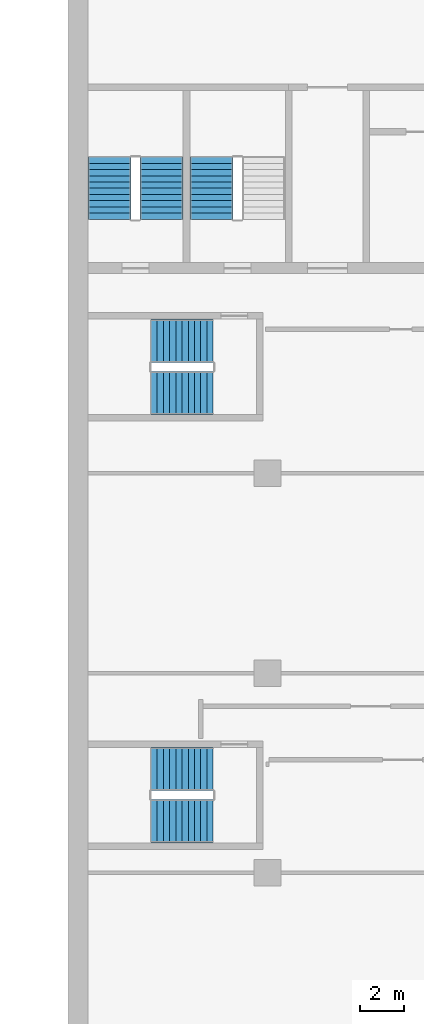
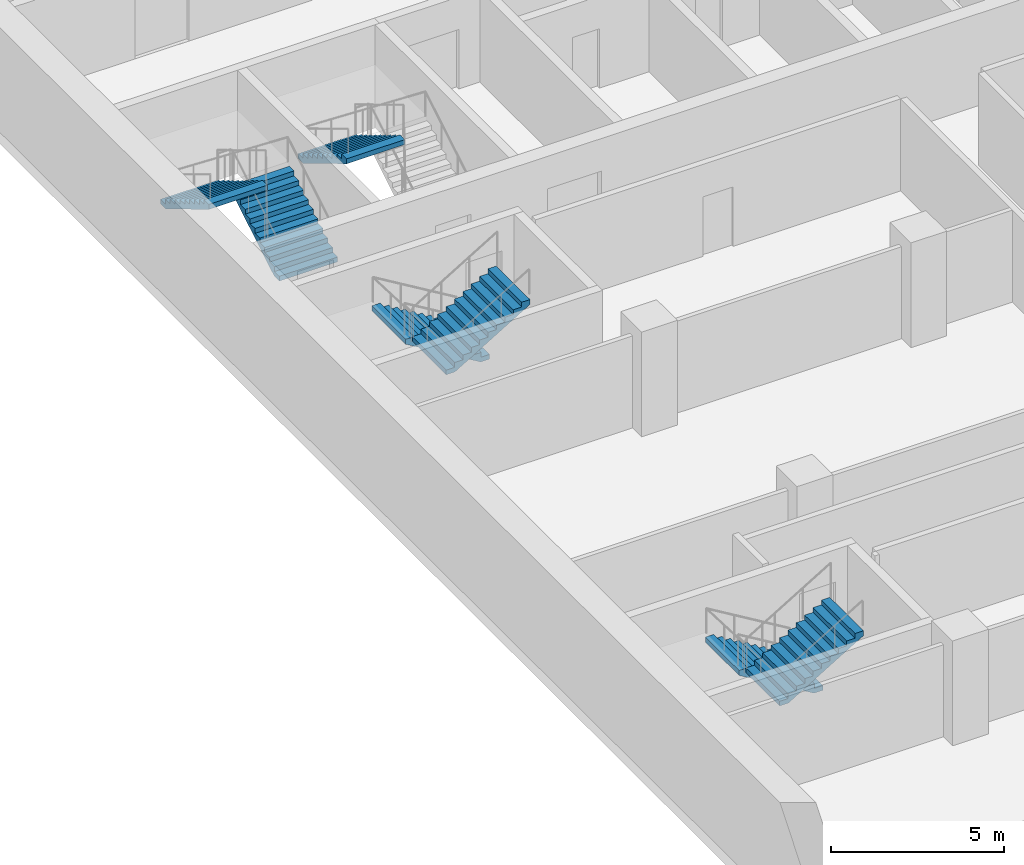
# One storey, part 16 of 22: 7 stair flights, 4 elements without a shape of their own.
"""IFC4 building model written with IfcOpenShell, lengths in metres."""

from ifc_helpers import new_model, si_unit, direction, frame, origin, place, context, subcontext, project, spatial, polyline, outline, extrude, material, type_object, element, aggregate, save


model = new_model("IFC4")

# Units and contexts
model_context = context("Model", 3, precision=1e-05, world=origin(), true_north=direction((0.0, 1.0)))
body_context = subcontext(model_context, "Body", "Model", "MODEL_VIEW")
ifc_project = project(units=[si_unit("LENGTHUNIT", "METRE"), si_unit("AREAUNIT", "SQUARE_METRE"), si_unit("VOLUMEUNIT", "CUBIC_METRE"), si_unit("PLANEANGLEUNIT", "RADIAN"), si_unit("MASSUNIT", "GRAM", prefix="KILO")], contexts=[model_context])

# Site, building, storey
site_placement = place(None, origin())
site = spatial("IfcSite", under=ifc_project, at=site_placement, CompositionType="ELEMENT")
building_placement = place(site_placement, origin())
building = spatial("IfcBuilding", under=site, at=building_placement, Name="Hunhe Ridgeline Campus", CompositionType="ELEMENT")
storey_placement = place(building_placement, frame((0.0, 0.0, 174.5)))
storey = spatial("IfcBuildingStorey", under=building, at=storey_placement, Name="L44", CompositionType="ELEMENT", Elevation=174.5)

# Stair, stair flights
ifc_material = material(Name="Concrete C40", Category="concrete")
stair_type = type_object("IfcStairType", Name="Reinforced concrete dog-leg stair 1950 Concrete C40", PredefinedType="HALF_TURN_STAIR", material=ifc_material)
stair_1_placement = place(storey_placement, origin())
stair_1 = element("IfcStair", 1, at=stair_1_placement, inside=storey, type_object=stair_type, Name="L44 S3", PredefinedType="HALF_TURN_STAIR")
stair_flight_type = type_object("IfcStairFlightType", Name="Reinforced concrete stair flight 1950 Concrete C40", PredefinedType="STRAIGHT", material=ifc_material)
stair_flight_1_placement = place(storey_placement, frame((4.22509765625, 65.449951171875, 0.0), z_axis=(0.0, 0.0, 1.0), x_axis=(0.0, 1.0, 0.0)))
stair_flight_1 = element("IfcStairFlight", 2, at=stair_flight_1_placement, type_object=stair_flight_type, Name="ST3 flight 1", NumberOfRisers=11, NumberOfTreads=10, PredefinedType="STRAIGHT", RiserHeight=0.168181818, TreadLength=0.28, context=body_context, shape_type="SweptSolid", body=[
    extrude(outline(polyline([(0.0, 0.0), (0.0, 0.168212890625), (0.280029296875, 0.168212890625), (0.280029296875, 0.33642578125), (0.56005859375, 0.33642578125), (0.56005859375, 0.504638671875), (0.840087890625, 0.504638671875), (0.840087890625, 0.672607421875), (1.1201171875, 0.672607421875), (1.1201171875, 0.8408203125), (1.39990234375, 0.8408203125), (1.39990234375, 1.009033203125), (1.679931640625, 1.009033203125), (1.679931640625, 1.17724609375), (1.9599609375, 1.17724609375), (1.9599609375, 1.345458984375), (2.239990234375, 1.345458984375), (2.239990234375, 1.513671875), (2.52001953125, 1.513671875), (2.52001953125, 1.681884765625), (2.800048828125, 1.681884765625), (2.800048828125, 1.85009765625), (2.800048828125, 1.5068359375), (0.291015625, 0.0), (0.0, 0.0)])), frame((0.0, 0.97509765625, 0.0), z_axis=(0.0, -1.0, 0.0), x_axis=(1.0, 0.0, 0.0)), (0.0, 0.0, 1.0), 1.949951171875),
    extrude(outline(polyline([(0.030029296875, 0.030029296875), (0.030029296875, 0.13818359375), (0.31005859375, 0.13818359375), (0.31005859375, 0.306396484375), (0.590087890625, 0.306396484375), (0.590087890625, 0.474609375), (0.8701171875, 0.474609375), (0.8701171875, 0.642578125), (1.14990234375, 0.642578125), (1.14990234375, 0.810791015625), (1.429931640625, 0.810791015625), (1.429931640625, 0.97900390625), (1.7099609375, 0.97900390625), (1.7099609375, 1.147216796875), (1.989990234375, 1.147216796875), (1.989990234375, 1.3154296875), (2.27001953125, 1.3154296875), (2.27001953125, 1.483642578125), (2.550048828125, 1.483642578125), (2.550048828125, 1.65185546875), (2.77001953125, 1.65185546875), (2.77001953125, 1.52392578125), (0.28271484375, 0.030029296875), (0.030029296875, 0.030029296875)])), frame((0.0, -0.070068359375, 0.0), z_axis=(0.0, -1.0, 0.0), x_axis=(1.0, 0.0, 0.0)), (0.0, 0.0, 1.0), 0.019775390625),
    extrude(outline(polyline([(0.030029296875, 0.030029296875), (0.030029296875, 0.13818359375), (0.31005859375, 0.13818359375), (0.31005859375, 0.306396484375), (0.590087890625, 0.306396484375), (0.590087890625, 0.474609375), (0.8701171875, 0.474609375), (0.8701171875, 0.642578125), (1.14990234375, 0.642578125), (1.14990234375, 0.810791015625), (1.429931640625, 0.810791015625), (1.429931640625, 0.97900390625), (1.7099609375, 0.97900390625), (1.7099609375, 1.147216796875), (1.989990234375, 1.147216796875), (1.989990234375, 1.3154296875), (2.27001953125, 1.3154296875), (2.27001953125, 1.483642578125), (2.550048828125, 1.483642578125), (2.550048828125, 1.65185546875), (2.77001953125, 1.65185546875), (2.77001953125, 1.52392578125), (0.28271484375, 0.030029296875), (0.030029296875, 0.030029296875)])), frame((0.0, 0.010009765625, 0.0), z_axis=(0.0, -1.0, 0.0), x_axis=(1.0, 0.0, 0.0)), (0.0, 0.0, 1.0), 0.019775390625),
    extrude(outline(polyline([(0.030029296875, 0.030029296875), (0.030029296875, 0.13818359375), (0.31005859375, 0.13818359375), (0.31005859375, 0.306396484375), (0.590087890625, 0.306396484375), (0.590087890625, 0.474609375), (0.8701171875, 0.474609375), (0.8701171875, 0.642578125), (1.14990234375, 0.642578125), (1.14990234375, 0.810791015625), (1.429931640625, 0.810791015625), (1.429931640625, 0.97900390625), (1.7099609375, 0.97900390625), (1.7099609375, 1.147216796875), (1.989990234375, 1.147216796875), (1.989990234375, 1.3154296875), (2.27001953125, 1.3154296875), (2.27001953125, 1.483642578125), (2.550048828125, 1.483642578125), (2.550048828125, 1.65185546875), (2.77001953125, 1.65185546875), (2.77001953125, 1.52392578125), (0.28271484375, 0.030029296875), (0.030029296875, 0.030029296875)])), frame((0.0, 0.090087890625, 0.0), z_axis=(0.0, -1.0, 0.0), x_axis=(1.0, 0.0, 0.0)), (0.0, 0.0, 1.0), 0.019775390625),
])
stair_flight_2_placement = place(storey_placement, frame((1.875, 68.25, 1.85009765625), z_axis=(0.0, 0.0, 1.0), x_axis=(0.0, -1.0, 0.0)))
stair_flight_2 = element("IfcStairFlight", 3, at=stair_flight_2_placement, type_object=stair_flight_type, Name="ST3 flight 2", NumberOfRisers=11, NumberOfTreads=10, PredefinedType="STRAIGHT", RiserHeight=0.168181818, TreadLength=0.28, context=body_context, shape_type="SweptSolid", body=[
    extrude(outline(polyline([(0.0, 0.0), (0.0, 0.168212890625), (0.280029296875, 0.168212890625), (0.280029296875, 0.33642578125), (0.56005859375, 0.33642578125), (0.56005859375, 0.504638671875), (0.840087890625, 0.504638671875), (0.840087890625, 0.672607421875), (1.1201171875, 0.672607421875), (1.1201171875, 0.8408203125), (1.39990234375, 0.8408203125), (1.39990234375, 1.009033203125), (1.679931640625, 1.009033203125), (1.679931640625, 1.17724609375), (1.9599609375, 1.17724609375), (1.9599609375, 1.345458984375), (2.239990234375, 1.345458984375), (2.239990234375, 1.513671875), (2.52001953125, 1.513671875), (2.52001953125, 1.681884765625), (2.800048828125, 1.681884765625), (2.800048828125, 1.85009765625), (2.800048828125, 1.5068359375), (0.291015625, 0.0), (0.0, 0.0)])), frame((0.0, 0.97509765625, 0.0), z_axis=(0.0, -1.0, 0.0), x_axis=(1.0, 0.0, 0.0)), (0.0, 0.0, 1.0), 1.949951171875),
    extrude(outline(polyline([(0.030029296875, 0.030029296875), (0.030029296875, 0.13818359375), (0.31005859375, 0.13818359375), (0.31005859375, 0.306396484375), (0.590087890625, 0.306396484375), (0.590087890625, 0.474609375), (0.8701171875, 0.474609375), (0.8701171875, 0.642578125), (1.14990234375, 0.642578125), (1.14990234375, 0.810791015625), (1.429931640625, 0.810791015625), (1.429931640625, 0.97900390625), (1.7099609375, 0.97900390625), (1.7099609375, 1.147216796875), (1.989990234375, 1.147216796875), (1.989990234375, 1.3154296875), (2.27001953125, 1.3154296875), (2.27001953125, 1.483642578125), (2.550048828125, 1.483642578125), (2.550048828125, 1.65185546875), (2.77001953125, 1.65185546875), (2.77001953125, 1.52392578125), (0.28271484375, 0.030029296875), (0.030029296875, 0.030029296875)])), frame((0.0, -0.070068359375, 0.0), z_axis=(0.0, -1.0, 0.0), x_axis=(1.0, 0.0, 0.0)), (0.0, 0.0, 1.0), 0.019775390625),
    extrude(outline(polyline([(0.030029296875, 0.030029296875), (0.030029296875, 0.13818359375), (0.31005859375, 0.13818359375), (0.31005859375, 0.306396484375), (0.590087890625, 0.306396484375), (0.590087890625, 0.474609375), (0.8701171875, 0.474609375), (0.8701171875, 0.642578125), (1.14990234375, 0.642578125), (1.14990234375, 0.810791015625), (1.429931640625, 0.810791015625), (1.429931640625, 0.97900390625), (1.7099609375, 0.97900390625), (1.7099609375, 1.147216796875), (1.989990234375, 1.147216796875), (1.989990234375, 1.3154296875), (2.27001953125, 1.3154296875), (2.27001953125, 1.483642578125), (2.550048828125, 1.483642578125), (2.550048828125, 1.65185546875), (2.77001953125, 1.65185546875), (2.77001953125, 1.52392578125), (0.28271484375, 0.030029296875), (0.030029296875, 0.030029296875)])), frame((0.0, 0.010009765625, 0.0), z_axis=(0.0, -1.0, 0.0), x_axis=(1.0, 0.0, 0.0)), (0.0, 0.0, 1.0), 0.019775390625),
    extrude(outline(polyline([(0.030029296875, 0.030029296875), (0.030029296875, 0.13818359375), (0.31005859375, 0.13818359375), (0.31005859375, 0.306396484375), (0.590087890625, 0.306396484375), (0.590087890625, 0.474609375), (0.8701171875, 0.474609375), (0.8701171875, 0.642578125), (1.14990234375, 0.642578125), (1.14990234375, 0.810791015625), (1.429931640625, 0.810791015625), (1.429931640625, 0.97900390625), (1.7099609375, 0.97900390625), (1.7099609375, 1.147216796875), (1.989990234375, 1.147216796875), (1.989990234375, 1.3154296875), (2.27001953125, 1.3154296875), (2.27001953125, 1.483642578125), (2.550048828125, 1.483642578125), (2.550048828125, 1.65185546875), (2.77001953125, 1.65185546875), (2.77001953125, 1.52392578125), (0.28271484375, 0.030029296875), (0.030029296875, 0.030029296875)])), frame((0.0, 0.090087890625, 0.0), z_axis=(0.0, -1.0, 0.0), x_axis=(1.0, 0.0, 0.0)), (0.0, 0.0, 1.0), 0.019775390625),
])
aggregate(stair_1, [stair_flight_1, stair_flight_2])

# Stair, stair flight
stair_2_placement = place(storey_placement, origin())
stair_2 = element("IfcStair", 4, at=stair_2_placement, inside=storey, type_object=stair_type, Name="L44 S4", PredefinedType="HALF_TURN_STAIR")
stair_flight_3_placement = place(storey_placement, frame((6.47509765625, 68.25, 1.85009765625), z_axis=(0.0, 0.0, 1.0), x_axis=(0.0, -1.0, 0.0)))
stair_flight_3 = element("IfcStairFlight", 5, at=stair_flight_3_placement, type_object=stair_flight_type, Name="ST4 flight 2", NumberOfRisers=11, NumberOfTreads=10, PredefinedType="STRAIGHT", RiserHeight=0.168181818, TreadLength=0.28, context=body_context, shape_type="SweptSolid", body=[
    extrude(outline(polyline([(0.0, 0.0), (0.0, 0.168212890625), (0.280029296875, 0.168212890625), (0.280029296875, 0.33642578125), (0.56005859375, 0.33642578125), (0.56005859375, 0.504638671875), (0.840087890625, 0.504638671875), (0.840087890625, 0.672607421875), (1.1201171875, 0.672607421875), (1.1201171875, 0.8408203125), (1.39990234375, 0.8408203125), (1.39990234375, 1.009033203125), (1.679931640625, 1.009033203125), (1.679931640625, 1.17724609375), (1.9599609375, 1.17724609375), (1.9599609375, 1.345458984375), (2.239990234375, 1.345458984375), (2.239990234375, 1.513671875), (2.52001953125, 1.513671875), (2.52001953125, 1.681884765625), (2.800048828125, 1.681884765625), (2.800048828125, 1.85009765625), (2.800048828125, 1.5068359375), (0.291015625, 0.0), (0.0, 0.0)])), frame((0.0, 0.97509765625, 0.0), z_axis=(0.0, -1.0, 0.0), x_axis=(1.0, 0.0, 0.0)), (0.0, 0.0, 1.0), 1.949951171875),
    extrude(outline(polyline([(0.030029296875, 0.030029296875), (0.030029296875, 0.13818359375), (0.31005859375, 0.13818359375), (0.31005859375, 0.306396484375), (0.590087890625, 0.306396484375), (0.590087890625, 0.474609375), (0.8701171875, 0.474609375), (0.8701171875, 0.642578125), (1.14990234375, 0.642578125), (1.14990234375, 0.810791015625), (1.429931640625, 0.810791015625), (1.429931640625, 0.97900390625), (1.7099609375, 0.97900390625), (1.7099609375, 1.147216796875), (1.989990234375, 1.147216796875), (1.989990234375, 1.3154296875), (2.27001953125, 1.3154296875), (2.27001953125, 1.483642578125), (2.550048828125, 1.483642578125), (2.550048828125, 1.65185546875), (2.77001953125, 1.65185546875), (2.77001953125, 1.52392578125), (0.28271484375, 0.030029296875), (0.030029296875, 0.030029296875)])), frame((0.0, -0.070068359375, 0.0), z_axis=(0.0, -1.0, 0.0), x_axis=(1.0, 0.0, 0.0)), (0.0, 0.0, 1.0), 0.019775390625),
    extrude(outline(polyline([(0.030029296875, 0.030029296875), (0.030029296875, 0.13818359375), (0.31005859375, 0.13818359375), (0.31005859375, 0.306396484375), (0.590087890625, 0.306396484375), (0.590087890625, 0.474609375), (0.8701171875, 0.474609375), (0.8701171875, 0.642578125), (1.14990234375, 0.642578125), (1.14990234375, 0.810791015625), (1.429931640625, 0.810791015625), (1.429931640625, 0.97900390625), (1.7099609375, 0.97900390625), (1.7099609375, 1.147216796875), (1.989990234375, 1.147216796875), (1.989990234375, 1.3154296875), (2.27001953125, 1.3154296875), (2.27001953125, 1.483642578125), (2.550048828125, 1.483642578125), (2.550048828125, 1.65185546875), (2.77001953125, 1.65185546875), (2.77001953125, 1.52392578125), (0.28271484375, 0.030029296875), (0.030029296875, 0.030029296875)])), frame((0.0, 0.010009765625, 0.0), z_axis=(0.0, -1.0, 0.0), x_axis=(1.0, 0.0, 0.0)), (0.0, 0.0, 1.0), 0.019775390625),
    extrude(outline(polyline([(0.030029296875, 0.030029296875), (0.030029296875, 0.13818359375), (0.31005859375, 0.13818359375), (0.31005859375, 0.306396484375), (0.590087890625, 0.306396484375), (0.590087890625, 0.474609375), (0.8701171875, 0.474609375), (0.8701171875, 0.642578125), (1.14990234375, 0.642578125), (1.14990234375, 0.810791015625), (1.429931640625, 0.810791015625), (1.429931640625, 0.97900390625), (1.7099609375, 0.97900390625), (1.7099609375, 1.147216796875), (1.989990234375, 1.147216796875), (1.989990234375, 1.3154296875), (2.27001953125, 1.3154296875), (2.27001953125, 1.483642578125), (2.550048828125, 1.483642578125), (2.550048828125, 1.65185546875), (2.77001953125, 1.65185546875), (2.77001953125, 1.52392578125), (0.28271484375, 0.030029296875), (0.030029296875, 0.030029296875)])), frame((0.0, 0.090087890625, 0.0), z_axis=(0.0, -1.0, 0.0), x_axis=(1.0, 0.0, 0.0)), (0.0, 0.0, 1.0), 0.019775390625),
])
aggregate(stair_2, [stair_flight_3])

# Stair, stair flights
stair_3_placement = place(storey_placement, origin())
stair_3 = element("IfcStair", 6, at=stair_3_placement, inside=storey, type_object=stair_type, Name="L44 W1", PredefinedType="HALF_TURN_STAIR")
stair_flight_4_placement = place(storey_placement, frame((6.550048828125, 40.675048828125, 0.0), z_axis=(0.0, 0.0, 1.0), x_axis=(-1.0, 0.0, 0.0)))
stair_flight_4 = element("IfcStairFlight", 7, at=stair_flight_4_placement, type_object=stair_flight_type, Name="ST11 flight 1", NumberOfRisers=11, NumberOfTreads=10, PredefinedType="STRAIGHT", RiserHeight=0.168181818, TreadLength=0.28, context=body_context, shape_type="SweptSolid", body=[
    extrude(outline(polyline([(0.0, 0.0), (0.0, 0.168212890625), (0.280029296875, 0.168212890625), (0.280029296875, 0.33642578125), (0.56005859375, 0.33642578125), (0.56005859375, 0.504638671875), (0.840087890625, 0.504638671875), (0.840087890625, 0.672607421875), (1.1201171875, 0.672607421875), (1.1201171875, 0.8408203125), (1.39990234375, 0.8408203125), (1.39990234375, 1.009033203125), (1.679931640625, 1.009033203125), (1.679931640625, 1.17724609375), (1.9599609375, 1.17724609375), (1.9599609375, 1.345458984375), (2.239990234375, 1.345458984375), (2.239990234375, 1.513671875), (2.52001953125, 1.513671875), (2.52001953125, 1.681884765625), (2.800048828125, 1.681884765625), (2.800048828125, 1.85009765625), (2.800048828125, 1.5068359375), (0.291015625, 0.0), (0.0, 0.0)])), frame((0.0, 0.97509765625, 0.0), z_axis=(0.0, -1.0, 0.0), x_axis=(1.0, 0.0, 0.0)), (0.0, 0.0, 1.0), 1.949951171875),
    extrude(outline(polyline([(0.030029296875, 0.030029296875), (0.030029296875, 0.13818359375), (0.31005859375, 0.13818359375), (0.31005859375, 0.306396484375), (0.590087890625, 0.306396484375), (0.590087890625, 0.474609375), (0.8701171875, 0.474609375), (0.8701171875, 0.642578125), (1.14990234375, 0.642578125), (1.14990234375, 0.810791015625), (1.429931640625, 0.810791015625), (1.429931640625, 0.97900390625), (1.7099609375, 0.97900390625), (1.7099609375, 1.147216796875), (1.989990234375, 1.147216796875), (1.989990234375, 1.3154296875), (2.27001953125, 1.3154296875), (2.27001953125, 1.483642578125), (2.550048828125, 1.483642578125), (2.550048828125, 1.65185546875), (2.77001953125, 1.65185546875), (2.77001953125, 1.52392578125), (0.28271484375, 0.030029296875), (0.030029296875, 0.030029296875)])), frame((0.0, -0.070068359375, 0.0), z_axis=(0.0, -1.0, 0.0), x_axis=(1.0, 0.0, 0.0)), (0.0, 0.0, 1.0), 0.019775390625),
    extrude(outline(polyline([(0.030029296875, 0.030029296875), (0.030029296875, 0.13818359375), (0.31005859375, 0.13818359375), (0.31005859375, 0.306396484375), (0.590087890625, 0.306396484375), (0.590087890625, 0.474609375), (0.8701171875, 0.474609375), (0.8701171875, 0.642578125), (1.14990234375, 0.642578125), (1.14990234375, 0.810791015625), (1.429931640625, 0.810791015625), (1.429931640625, 0.97900390625), (1.7099609375, 0.97900390625), (1.7099609375, 1.147216796875), (1.989990234375, 1.147216796875), (1.989990234375, 1.3154296875), (2.27001953125, 1.3154296875), (2.27001953125, 1.483642578125), (2.550048828125, 1.483642578125), (2.550048828125, 1.65185546875), (2.77001953125, 1.65185546875), (2.77001953125, 1.52392578125), (0.28271484375, 0.030029296875), (0.030029296875, 0.030029296875)])), frame((0.0, 0.010009765625, 0.0), z_axis=(0.0, -1.0, 0.0), x_axis=(1.0, 0.0, 0.0)), (0.0, 0.0, 1.0), 0.019775390625),
    extrude(outline(polyline([(0.030029296875, 0.030029296875), (0.030029296875, 0.13818359375), (0.31005859375, 0.13818359375), (0.31005859375, 0.306396484375), (0.590087890625, 0.306396484375), (0.590087890625, 0.474609375), (0.8701171875, 0.474609375), (0.8701171875, 0.642578125), (1.14990234375, 0.642578125), (1.14990234375, 0.810791015625), (1.429931640625, 0.810791015625), (1.429931640625, 0.97900390625), (1.7099609375, 0.97900390625), (1.7099609375, 1.147216796875), (1.989990234375, 1.147216796875), (1.989990234375, 1.3154296875), (2.27001953125, 1.3154296875), (2.27001953125, 1.483642578125), (2.550048828125, 1.483642578125), (2.550048828125, 1.65185546875), (2.77001953125, 1.65185546875), (2.77001953125, 1.52392578125), (0.28271484375, 0.030029296875), (0.030029296875, 0.030029296875)])), frame((0.0, 0.090087890625, 0.0), z_axis=(0.0, -1.0, 0.0), x_axis=(1.0, 0.0, 0.0)), (0.0, 0.0, 1.0), 0.019775390625),
])
stair_flight_5_placement = place(storey_placement, frame((3.75, 38.324951171875, 1.85009765625), z_axis=(0.0, 0.0, 1.0), x_axis=(1.0, 0.0, 0.0)))
stair_flight_5 = element("IfcStairFlight", 8, at=stair_flight_5_placement, type_object=stair_flight_type, Name="ST11 flight 2", NumberOfRisers=11, NumberOfTreads=10, PredefinedType="STRAIGHT", RiserHeight=0.168181818, TreadLength=0.28, context=body_context, shape_type="SweptSolid", body=[
    extrude(outline(polyline([(0.0, 0.0), (0.0, 0.168212890625), (0.280029296875, 0.168212890625), (0.280029296875, 0.33642578125), (0.56005859375, 0.33642578125), (0.56005859375, 0.504638671875), (0.840087890625, 0.504638671875), (0.840087890625, 0.672607421875), (1.1201171875, 0.672607421875), (1.1201171875, 0.8408203125), (1.39990234375, 0.8408203125), (1.39990234375, 1.009033203125), (1.679931640625, 1.009033203125), (1.679931640625, 1.17724609375), (1.9599609375, 1.17724609375), (1.9599609375, 1.345458984375), (2.239990234375, 1.345458984375), (2.239990234375, 1.513671875), (2.52001953125, 1.513671875), (2.52001953125, 1.681884765625), (2.800048828125, 1.681884765625), (2.800048828125, 1.85009765625), (2.800048828125, 1.5068359375), (0.291015625, 0.0), (0.0, 0.0)])), frame((0.0, 0.97509765625, 0.0), z_axis=(0.0, -1.0, 0.0), x_axis=(1.0, 0.0, 0.0)), (0.0, 0.0, 1.0), 1.949951171875),
    extrude(outline(polyline([(0.030029296875, 0.030029296875), (0.030029296875, 0.13818359375), (0.31005859375, 0.13818359375), (0.31005859375, 0.306396484375), (0.590087890625, 0.306396484375), (0.590087890625, 0.474609375), (0.8701171875, 0.474609375), (0.8701171875, 0.642578125), (1.14990234375, 0.642578125), (1.14990234375, 0.810791015625), (1.429931640625, 0.810791015625), (1.429931640625, 0.97900390625), (1.7099609375, 0.97900390625), (1.7099609375, 1.147216796875), (1.989990234375, 1.147216796875), (1.989990234375, 1.3154296875), (2.27001953125, 1.3154296875), (2.27001953125, 1.483642578125), (2.550048828125, 1.483642578125), (2.550048828125, 1.65185546875), (2.77001953125, 1.65185546875), (2.77001953125, 1.52392578125), (0.28271484375, 0.030029296875), (0.030029296875, 0.030029296875)])), frame((0.0, -0.070068359375, 0.0), z_axis=(0.0, -1.0, 0.0), x_axis=(1.0, 0.0, 0.0)), (0.0, 0.0, 1.0), 0.019775390625),
    extrude(outline(polyline([(0.030029296875, 0.030029296875), (0.030029296875, 0.13818359375), (0.31005859375, 0.13818359375), (0.31005859375, 0.306396484375), (0.590087890625, 0.306396484375), (0.590087890625, 0.474609375), (0.8701171875, 0.474609375), (0.8701171875, 0.642578125), (1.14990234375, 0.642578125), (1.14990234375, 0.810791015625), (1.429931640625, 0.810791015625), (1.429931640625, 0.97900390625), (1.7099609375, 0.97900390625), (1.7099609375, 1.147216796875), (1.989990234375, 1.147216796875), (1.989990234375, 1.3154296875), (2.27001953125, 1.3154296875), (2.27001953125, 1.483642578125), (2.550048828125, 1.483642578125), (2.550048828125, 1.65185546875), (2.77001953125, 1.65185546875), (2.77001953125, 1.52392578125), (0.28271484375, 0.030029296875), (0.030029296875, 0.030029296875)])), frame((0.0, 0.010009765625, 0.0), z_axis=(0.0, -1.0, 0.0), x_axis=(1.0, 0.0, 0.0)), (0.0, 0.0, 1.0), 0.019775390625),
    extrude(outline(polyline([(0.030029296875, 0.030029296875), (0.030029296875, 0.13818359375), (0.31005859375, 0.13818359375), (0.31005859375, 0.306396484375), (0.590087890625, 0.306396484375), (0.590087890625, 0.474609375), (0.8701171875, 0.474609375), (0.8701171875, 0.642578125), (1.14990234375, 0.642578125), (1.14990234375, 0.810791015625), (1.429931640625, 0.810791015625), (1.429931640625, 0.97900390625), (1.7099609375, 0.97900390625), (1.7099609375, 1.147216796875), (1.989990234375, 1.147216796875), (1.989990234375, 1.3154296875), (2.27001953125, 1.3154296875), (2.27001953125, 1.483642578125), (2.550048828125, 1.483642578125), (2.550048828125, 1.65185546875), (2.77001953125, 1.65185546875), (2.77001953125, 1.52392578125), (0.28271484375, 0.030029296875), (0.030029296875, 0.030029296875)])), frame((0.0, 0.090087890625, 0.0), z_axis=(0.0, -1.0, 0.0), x_axis=(1.0, 0.0, 0.0)), (0.0, 0.0, 1.0), 0.019775390625),
])
aggregate(stair_3, [stair_flight_4, stair_flight_5])

stair_4_placement = place(storey_placement, origin())
stair_4 = element("IfcStair", 9, at=stair_4_placement, inside=storey, type_object=stair_type, Name="L44 W2", PredefinedType="HALF_TURN_STAIR")
stair_flight_6_placement = place(storey_placement, frame((6.550048828125, 59.97509765625, 0.0), z_axis=(0.0, 0.0, 1.0), x_axis=(-1.0, 0.0, 0.0)))
stair_flight_6 = element("IfcStairFlight", 10, at=stair_flight_6_placement, type_object=stair_flight_type, Name="ST12 flight 1", NumberOfRisers=11, NumberOfTreads=10, PredefinedType="STRAIGHT", RiserHeight=0.168181818, TreadLength=0.28, context=body_context, shape_type="SweptSolid", body=[
    extrude(outline(polyline([(0.0, 0.0), (0.0, 0.168212890625), (0.280029296875, 0.168212890625), (0.280029296875, 0.33642578125), (0.56005859375, 0.33642578125), (0.56005859375, 0.504638671875), (0.840087890625, 0.504638671875), (0.840087890625, 0.672607421875), (1.1201171875, 0.672607421875), (1.1201171875, 0.8408203125), (1.39990234375, 0.8408203125), (1.39990234375, 1.009033203125), (1.679931640625, 1.009033203125), (1.679931640625, 1.17724609375), (1.9599609375, 1.17724609375), (1.9599609375, 1.345458984375), (2.239990234375, 1.345458984375), (2.239990234375, 1.513671875), (2.52001953125, 1.513671875), (2.52001953125, 1.681884765625), (2.800048828125, 1.681884765625), (2.800048828125, 1.85009765625), (2.800048828125, 1.5068359375), (0.291015625, 0.0), (0.0, 0.0)])), frame((0.0, 0.97509765625, 0.0), z_axis=(0.0, -1.0, 0.0), x_axis=(1.0, 0.0, 0.0)), (0.0, 0.0, 1.0), 1.949951171875),
    extrude(outline(polyline([(0.030029296875, 0.030029296875), (0.030029296875, 0.13818359375), (0.31005859375, 0.13818359375), (0.31005859375, 0.306396484375), (0.590087890625, 0.306396484375), (0.590087890625, 0.474609375), (0.8701171875, 0.474609375), (0.8701171875, 0.642578125), (1.14990234375, 0.642578125), (1.14990234375, 0.810791015625), (1.429931640625, 0.810791015625), (1.429931640625, 0.97900390625), (1.7099609375, 0.97900390625), (1.7099609375, 1.147216796875), (1.989990234375, 1.147216796875), (1.989990234375, 1.3154296875), (2.27001953125, 1.3154296875), (2.27001953125, 1.483642578125), (2.550048828125, 1.483642578125), (2.550048828125, 1.65185546875), (2.77001953125, 1.65185546875), (2.77001953125, 1.52392578125), (0.28271484375, 0.030029296875), (0.030029296875, 0.030029296875)])), frame((0.0, -0.070068359375, 0.0), z_axis=(0.0, -1.0, 0.0), x_axis=(1.0, 0.0, 0.0)), (0.0, 0.0, 1.0), 0.019775390625),
    extrude(outline(polyline([(0.030029296875, 0.030029296875), (0.030029296875, 0.13818359375), (0.31005859375, 0.13818359375), (0.31005859375, 0.306396484375), (0.590087890625, 0.306396484375), (0.590087890625, 0.474609375), (0.8701171875, 0.474609375), (0.8701171875, 0.642578125), (1.14990234375, 0.642578125), (1.14990234375, 0.810791015625), (1.429931640625, 0.810791015625), (1.429931640625, 0.97900390625), (1.7099609375, 0.97900390625), (1.7099609375, 1.147216796875), (1.989990234375, 1.147216796875), (1.989990234375, 1.3154296875), (2.27001953125, 1.3154296875), (2.27001953125, 1.483642578125), (2.550048828125, 1.483642578125), (2.550048828125, 1.65185546875), (2.77001953125, 1.65185546875), (2.77001953125, 1.52392578125), (0.28271484375, 0.030029296875), (0.030029296875, 0.030029296875)])), frame((0.0, 0.010009765625, 0.0), z_axis=(0.0, -1.0, 0.0), x_axis=(1.0, 0.0, 0.0)), (0.0, 0.0, 1.0), 0.019775390625),
    extrude(outline(polyline([(0.030029296875, 0.030029296875), (0.030029296875, 0.13818359375), (0.31005859375, 0.13818359375), (0.31005859375, 0.306396484375), (0.590087890625, 0.306396484375), (0.590087890625, 0.474609375), (0.8701171875, 0.474609375), (0.8701171875, 0.642578125), (1.14990234375, 0.642578125), (1.14990234375, 0.810791015625), (1.429931640625, 0.810791015625), (1.429931640625, 0.97900390625), (1.7099609375, 0.97900390625), (1.7099609375, 1.147216796875), (1.989990234375, 1.147216796875), (1.989990234375, 1.3154296875), (2.27001953125, 1.3154296875), (2.27001953125, 1.483642578125), (2.550048828125, 1.483642578125), (2.550048828125, 1.65185546875), (2.77001953125, 1.65185546875), (2.77001953125, 1.52392578125), (0.28271484375, 0.030029296875), (0.030029296875, 0.030029296875)])), frame((0.0, 0.090087890625, 0.0), z_axis=(0.0, -1.0, 0.0), x_axis=(1.0, 0.0, 0.0)), (0.0, 0.0, 1.0), 0.019775390625),
])
stair_flight_7_placement = place(storey_placement, frame((3.75, 57.625, 1.85009765625), z_axis=(0.0, 0.0, 1.0), x_axis=(1.0, 0.0, 0.0)))
stair_flight_7 = element("IfcStairFlight", 11, at=stair_flight_7_placement, type_object=stair_flight_type, Name="ST12 flight 2", NumberOfRisers=11, NumberOfTreads=10, PredefinedType="STRAIGHT", RiserHeight=0.168181818, TreadLength=0.28, context=body_context, shape_type="SweptSolid", body=[
    extrude(outline(polyline([(0.0, 0.0), (0.0, 0.168212890625), (0.280029296875, 0.168212890625), (0.280029296875, 0.33642578125), (0.56005859375, 0.33642578125), (0.56005859375, 0.504638671875), (0.840087890625, 0.504638671875), (0.840087890625, 0.672607421875), (1.1201171875, 0.672607421875), (1.1201171875, 0.8408203125), (1.39990234375, 0.8408203125), (1.39990234375, 1.009033203125), (1.679931640625, 1.009033203125), (1.679931640625, 1.17724609375), (1.9599609375, 1.17724609375), (1.9599609375, 1.345458984375), (2.239990234375, 1.345458984375), (2.239990234375, 1.513671875), (2.52001953125, 1.513671875), (2.52001953125, 1.681884765625), (2.800048828125, 1.681884765625), (2.800048828125, 1.85009765625), (2.800048828125, 1.5068359375), (0.291015625, 0.0), (0.0, 0.0)])), frame((0.0, 0.97509765625, 0.0), z_axis=(0.0, -1.0, 0.0), x_axis=(1.0, 0.0, 0.0)), (0.0, 0.0, 1.0), 1.949951171875),
    extrude(outline(polyline([(0.030029296875, 0.030029296875), (0.030029296875, 0.13818359375), (0.31005859375, 0.13818359375), (0.31005859375, 0.306396484375), (0.590087890625, 0.306396484375), (0.590087890625, 0.474609375), (0.8701171875, 0.474609375), (0.8701171875, 0.642578125), (1.14990234375, 0.642578125), (1.14990234375, 0.810791015625), (1.429931640625, 0.810791015625), (1.429931640625, 0.97900390625), (1.7099609375, 0.97900390625), (1.7099609375, 1.147216796875), (1.989990234375, 1.147216796875), (1.989990234375, 1.3154296875), (2.27001953125, 1.3154296875), (2.27001953125, 1.483642578125), (2.550048828125, 1.483642578125), (2.550048828125, 1.65185546875), (2.77001953125, 1.65185546875), (2.77001953125, 1.52392578125), (0.28271484375, 0.030029296875), (0.030029296875, 0.030029296875)])), frame((0.0, -0.070068359375, 0.0), z_axis=(0.0, -1.0, 0.0), x_axis=(1.0, 0.0, 0.0)), (0.0, 0.0, 1.0), 0.019775390625),
    extrude(outline(polyline([(0.030029296875, 0.030029296875), (0.030029296875, 0.13818359375), (0.31005859375, 0.13818359375), (0.31005859375, 0.306396484375), (0.590087890625, 0.306396484375), (0.590087890625, 0.474609375), (0.8701171875, 0.474609375), (0.8701171875, 0.642578125), (1.14990234375, 0.642578125), (1.14990234375, 0.810791015625), (1.429931640625, 0.810791015625), (1.429931640625, 0.97900390625), (1.7099609375, 0.97900390625), (1.7099609375, 1.147216796875), (1.989990234375, 1.147216796875), (1.989990234375, 1.3154296875), (2.27001953125, 1.3154296875), (2.27001953125, 1.483642578125), (2.550048828125, 1.483642578125), (2.550048828125, 1.65185546875), (2.77001953125, 1.65185546875), (2.77001953125, 1.52392578125), (0.28271484375, 0.030029296875), (0.030029296875, 0.030029296875)])), frame((0.0, 0.010009765625, 0.0), z_axis=(0.0, -1.0, 0.0), x_axis=(1.0, 0.0, 0.0)), (0.0, 0.0, 1.0), 0.019775390625),
    extrude(outline(polyline([(0.030029296875, 0.030029296875), (0.030029296875, 0.13818359375), (0.31005859375, 0.13818359375), (0.31005859375, 0.306396484375), (0.590087890625, 0.306396484375), (0.590087890625, 0.474609375), (0.8701171875, 0.474609375), (0.8701171875, 0.642578125), (1.14990234375, 0.642578125), (1.14990234375, 0.810791015625), (1.429931640625, 0.810791015625), (1.429931640625, 0.97900390625), (1.7099609375, 0.97900390625), (1.7099609375, 1.147216796875), (1.989990234375, 1.147216796875), (1.989990234375, 1.3154296875), (2.27001953125, 1.3154296875), (2.27001953125, 1.483642578125), (2.550048828125, 1.483642578125), (2.550048828125, 1.65185546875), (2.77001953125, 1.65185546875), (2.77001953125, 1.52392578125), (0.28271484375, 0.030029296875), (0.030029296875, 0.030029296875)])), frame((0.0, 0.090087890625, 0.0), z_axis=(0.0, -1.0, 0.0), x_axis=(1.0, 0.0, 0.0)), (0.0, 0.0, 1.0), 0.019775390625),
])
aggregate(stair_4, [stair_flight_6, stair_flight_7])

save(model, "model.ifc")
